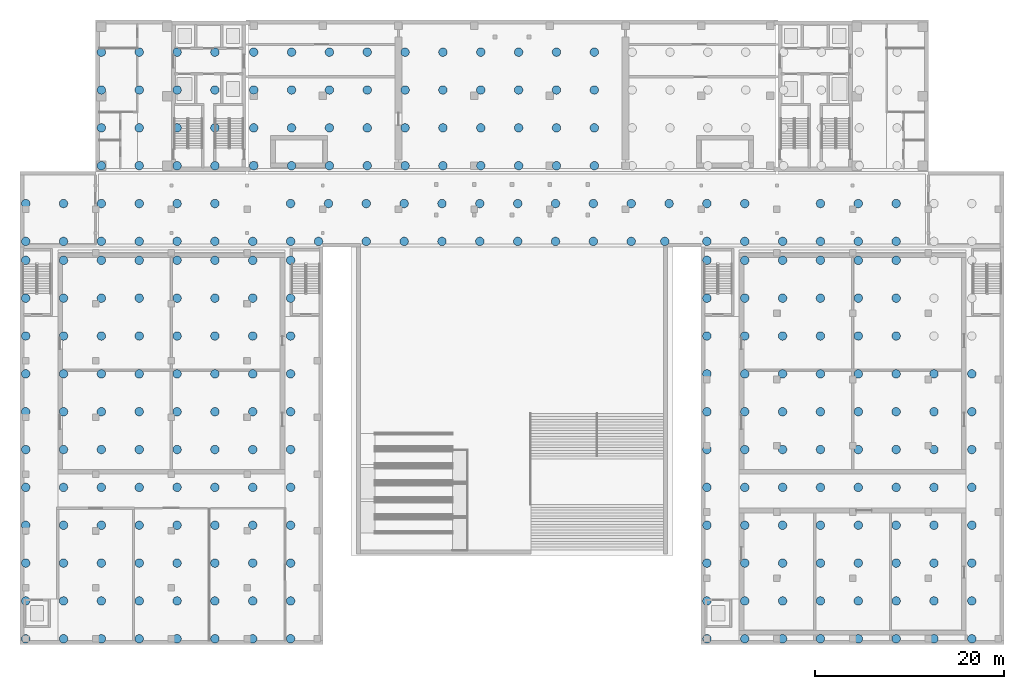
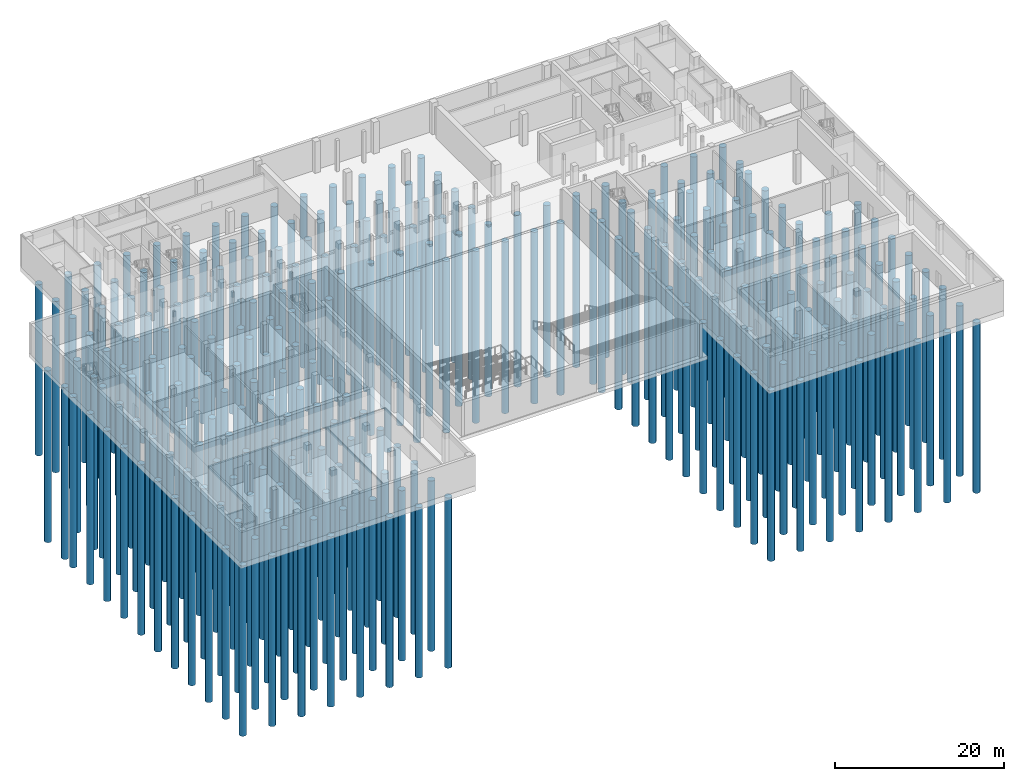
# One storey, part 1 of 21: 272 piles.
"""IFC4 building model written with IfcOpenShell, lengths in metres."""

from ifc_helpers import new_model, si_unit, direction, frame, origin, origin_2d, place, context, subcontext, project, spatial, circle, extrude, material, material_profile, profile_set, type_object, element, save


model = new_model("IFC4")

# Units and contexts
model_context = context("Model", 3, precision=1e-05, world=origin(), true_north=direction((0.0, 1.0)))
body_context = subcontext(model_context, "Body", "Model", "MODEL_VIEW")
ifc_project = project(units=[si_unit("LENGTHUNIT", "METRE"), si_unit("AREAUNIT", "SQUARE_METRE"), si_unit("VOLUMEUNIT", "CUBIC_METRE"), si_unit("PLANEANGLEUNIT", "RADIAN"), si_unit("MASSUNIT", "GRAM", prefix="KILO")], contexts=[model_context])

# Site, building, storey
site_placement = place(None, origin())
site = spatial("IfcSite", under=ifc_project, at=site_placement, CompositionType="ELEMENT")
building_placement = place(site_placement, origin())
building = spatial("IfcBuilding", under=site, at=building_placement, Name="Lantern Court Media Centre", CompositionType="ELEMENT")
storey_placement = place(building_placement, frame((0.0, 0.0, -4.800048828125)))
storey = spatial("IfcBuildingStorey", under=building, at=storey_placement, Name="B1", CompositionType="ELEMENT", Elevation=-4.800048828125)

# Piles
ifc_material = material(Name="Concrete C30", Category="concrete")
ifc_material_profile = material_profile(ifc_material, circle(Radius=0.449951171875, at=origin_2d()), Name="D900")
ifc_profile_set = profile_set([ifc_material_profile], Name="Concrete C30")
pile_type = type_object("IfcPileType", Name="BORED PILE D900", PredefinedType="BORED", material=ifc_profile_set)
for number, where, z_axis, x_axis, name in (
    (1, (0.60009765625, -1.39990234375, -0.64990234375), (0.0, 0.0, -1.0), (1.0, 0.0, 0.0), "PL-B1-1-000"),
    (2, (0.60009765625, 2.60009765625, -0.64990234375), (0.0, 0.0, -1.0), (1.0, 0.0, 0.0), "PL-B1-1-001"),
    (3, (0.60009765625, 6.60009765625, -0.64990234375), (0.0, 0.0, -1.0), (1.0, 0.0, 0.0), "PL-B1-1-002"),
    (4, (0.60009765625, 10.60009765625, -0.64990234375), (0.0, 0.0, -1.0), (1.0, 0.0, 0.0), "PL-B1-1-003"),
    (5, (0.60009765625, 14.60009765625, -0.64990234375), (0.0, 0.0, -1.0), (1.0, 0.0, 0.0), "PL-B1-1-004"),
    (6, (0.60009765625, 18.60009765625, -0.64990234375), (0.0, 0.0, -1.0), (1.0, 0.0, 0.0), "PL-B1-1-005"),
    (7, (0.60009765625, 22.60009765625, -0.64990234375), (0.0, 0.0, -1.0), (1.0, 0.0, 0.0), "PL-B1-1-006"),
    (8, (0.60009765625, 26.60009765625, -0.64990234375), (0.0, 0.0, -1.0), (1.0, 0.0, 0.0), "PL-B1-1-007"),
    (9, (0.60009765625, 30.60009765625, -0.64990234375), (0.0, 0.0, -1.0), (1.0, 0.0, 0.0), "PL-B1-1-008"),
    (10, (0.60009765625, 34.60009765625, -0.64990234375), (0.0, 0.0, -1.0), (1.0, 0.0, 0.0), "PL-B1-1-009"),
    (11, (0.60009765625, 38.60009765625, -0.64990234375), (0.0, 0.0, -1.0), (1.0, 0.0, 0.0), "PL-B1-1-010"),
    (12, (4.60009765625, -1.39990234375, -0.64990234375), (0.0, 0.0, -1.0), (1.0, 0.0, 0.0), "PL-B1-1-011"),
    (13, (4.60009765625, 2.60009765625, -0.64990234375), (0.0, 0.0, -1.0), (1.0, 0.0, 0.0), "PL-B1-1-012"),
    (14, (4.60009765625, 6.60009765625, -0.64990234375), (0.0, 0.0, -1.0), (1.0, 0.0, 0.0), "PL-B1-1-013"),
    (15, (4.60009765625, 10.60009765625, -0.64990234375), (0.0, 0.0, -1.0), (1.0, 0.0, 0.0), "PL-B1-1-014"),
    (16, (4.60009765625, 14.60009765625, -0.64990234375), (0.0, 0.0, -1.0), (1.0, 0.0, 0.0), "PL-B1-1-015"),
    (17, (4.60009765625, 18.60009765625, -0.64990234375), (0.0, 0.0, -1.0), (1.0, 0.0, 0.0), "PL-B1-1-016"),
    (18, (4.60009765625, 22.60009765625, -0.64990234375), (0.0, 0.0, -1.0), (1.0, 0.0, 0.0), "PL-B1-1-017"),
    (19, (4.60009765625, 26.60009765625, -0.64990234375), (0.0, 0.0, -1.0), (1.0, 0.0, 0.0), "PL-B1-1-018"),
    (20, (4.60009765625, 30.60009765625, -0.64990234375), (0.0, 0.0, -1.0), (1.0, 0.0, 0.0), "PL-B1-1-019"),
    (21, (4.60009765625, 34.60009765625, -0.64990234375), (0.0, 0.0, -1.0), (1.0, 0.0, 0.0), "PL-B1-1-020"),
    (22, (4.60009765625, 38.60009765625, -0.64990234375), (0.0, 0.0, -1.0), (1.0, 0.0, 0.0), "PL-B1-1-021"),
    (23, (8.60009765625, -1.39990234375, -0.64990234375), (0.0, 0.0, -1.0), (1.0, 0.0, 0.0), "PL-B1-1-022"),
    (24, (8.60009765625, 2.60009765625, -0.64990234375), (0.0, 0.0, -1.0), (1.0, 0.0, 0.0), "PL-B1-1-023"),
    (25, (8.60009765625, 6.60009765625, -0.64990234375), (0.0, 0.0, -1.0), (1.0, 0.0, 0.0), "PL-B1-1-024"),
    (26, (8.60009765625, 10.60009765625, -0.64990234375), (0.0, 0.0, -1.0), (1.0, 0.0, 0.0), "PL-B1-1-025"),
    (27, (8.60009765625, 14.60009765625, -0.64990234375), (0.0, 0.0, -1.0), (1.0, 0.0, 0.0), "PL-B1-1-026"),
    (28, (8.60009765625, 18.60009765625, -0.64990234375), (0.0, 0.0, -1.0), (1.0, 0.0, 0.0), "PL-B1-1-027"),
    (29, (8.60009765625, 22.60009765625, -0.64990234375), (0.0, 0.0, -1.0), (1.0, 0.0, 0.0), "PL-B1-1-028"),
    (30, (8.60009765625, 26.60009765625, -0.64990234375), (0.0, 0.0, -1.0), (1.0, 0.0, 0.0), "PL-B1-1-029"),
    (31, (8.60009765625, 30.60009765625, -0.64990234375), (0.0, 0.0, -1.0), (1.0, 0.0, 0.0), "PL-B1-1-030"),
    (32, (8.60009765625, 34.60009765625, -0.64990234375), (0.0, 0.0, -1.0), (1.0, 0.0, 0.0), "PL-B1-1-031"),
    (33, (8.60009765625, 38.60009765625, -0.64990234375), (0.0, 0.0, -1.0), (1.0, 0.0, 0.0), "PL-B1-1-032"),
    (34, (12.60009765625, -1.39990234375, -0.64990234375), (0.0, 0.0, -1.0), (1.0, 0.0, 0.0), "PL-B1-1-033"),
    (35, (12.60009765625, 2.60009765625, -0.64990234375), (0.0, 0.0, -1.0), (1.0, 0.0, 0.0), "PL-B1-1-034"),
    (36, (12.60009765625, 6.60009765625, -0.64990234375), (0.0, 0.0, -1.0), (1.0, 0.0, 0.0), "PL-B1-1-035"),
    (37, (12.60009765625, 10.60009765625, -0.64990234375), (0.0, 0.0, -1.0), (1.0, 0.0, 0.0), "PL-B1-1-036"),
    (38, (12.60009765625, 14.60009765625, -0.64990234375), (0.0, 0.0, -1.0), (1.0, 0.0, 0.0), "PL-B1-1-037"),
    (39, (12.60009765625, 18.60009765625, -0.64990234375), (0.0, 0.0, -1.0), (1.0, 0.0, 0.0), "PL-B1-1-038"),
    (40, (12.60009765625, 22.60009765625, -0.64990234375), (0.0, 0.0, -1.0), (1.0, 0.0, 0.0), "PL-B1-1-039"),
    (41, (12.60009765625, 26.60009765625, -0.64990234375), (0.0, 0.0, -1.0), (1.0, 0.0, 0.0), "PL-B1-1-040"),
    (42, (12.60009765625, 30.60009765625, -0.64990234375), (0.0, 0.0, -1.0), (1.0, 0.0, 0.0), "PL-B1-1-041"),
    (43, (12.60009765625, 34.60009765625, -0.64990234375), (0.0, 0.0, -1.0), (1.0, 0.0, 0.0), "PL-B1-1-042"),
    (44, (12.60009765625, 38.60009765625, -0.64990234375), (0.0, 0.0, -1.0), (1.0, 0.0, 0.0), "PL-B1-1-043"),
    (45, (16.60009765625, -1.39990234375, -0.64990234375), (0.0, 0.0, -1.0), (1.0, 0.0, 0.0), "PL-B1-1-044"),
    (46, (16.60009765625, 2.60009765625, -0.64990234375), (0.0, 0.0, -1.0), (1.0, 0.0, 0.0), "PL-B1-1-045"),
    (47, (16.60009765625, 6.60009765625, -0.64990234375), (0.0, 0.0, -1.0), (1.0, 0.0, 0.0), "PL-B1-1-046"),
    (48, (16.60009765625, 10.60009765625, -0.64990234375), (0.0, 0.0, -1.0), (1.0, 0.0, 0.0), "PL-B1-1-047"),
    (49, (16.60009765625, 14.60009765625, -0.64990234375), (0.0, 0.0, -1.0), (1.0, 0.0, 0.0), "PL-B1-1-048"),
    (50, (16.60009765625, 18.60009765625, -0.64990234375), (0.0, 0.0, -1.0), (1.0, 0.0, 0.0), "PL-B1-1-049"),
    (51, (16.60009765625, 22.60009765625, -0.64990234375), (0.0, 0.0, -1.0), (1.0, 0.0, 0.0), "PL-B1-1-050"),
    (52, (16.60009765625, 26.60009765625, -0.64990234375), (0.0, 0.0, -1.0), (1.0, 0.0, 0.0), "PL-B1-1-051"),
    (53, (16.60009765625, 30.60009765625, -0.64990234375), (0.0, 0.0, -1.0), (1.0, 0.0, 0.0), "PL-B1-1-052"),
    (54, (16.60009765625, 34.60009765625, -0.64990234375), (0.0, 0.0, -1.0), (1.0, 0.0, 0.0), "PL-B1-1-053"),
    (55, (16.60009765625, 38.60009765625, -0.64990234375), (0.0, 0.0, -1.0), (1.0, 0.0, 0.0), "PL-B1-1-054"),
    (56, (20.60009765625, -1.39990234375, -0.64990234375), (0.0, 0.0, -1.0), (1.0, 0.0, 0.0), "PL-B1-1-055"),
    (57, (20.60009765625, 2.60009765625, -0.64990234375), (0.0, 0.0, -1.0), (1.0, 0.0, 0.0), "PL-B1-1-056"),
    (58, (20.60009765625, 6.60009765625, -0.64990234375), (0.0, 0.0, -1.0), (1.0, 0.0, 0.0), "PL-B1-1-057"),
    (59, (20.60009765625, 10.60009765625, -0.64990234375), (0.0, 0.0, -1.0), (1.0, 0.0, 0.0), "PL-B1-1-058"),
    (60, (20.60009765625, 14.60009765625, -0.64990234375), (0.0, 0.0, -1.0), (1.0, 0.0, 0.0), "PL-B1-1-059"),
    (61, (20.60009765625, 18.60009765625, -0.64990234375), (0.0, 0.0, -1.0), (1.0, 0.0, 0.0), "PL-B1-1-060"),
    (62, (20.60009765625, 22.60009765625, -0.64990234375), (0.0, 0.0, -1.0), (1.0, 0.0, 0.0), "PL-B1-1-061"),
    (63, (20.60009765625, 26.60009765625, -0.64990234375), (0.0, 0.0, -1.0), (1.0, 0.0, 0.0), "PL-B1-1-062"),
    (64, (20.60009765625, 30.60009765625, -0.64990234375), (0.0, 0.0, -1.0), (1.0, 0.0, 0.0), "PL-B1-1-063"),
    (65, (20.60009765625, 34.60009765625, -0.64990234375), (0.0, 0.0, -1.0), (1.0, 0.0, 0.0), "PL-B1-1-064"),
    (66, (20.60009765625, 38.60009765625, -0.64990234375), (0.0, 0.0, -1.0), (1.0, 0.0, 0.0), "PL-B1-1-065"),
    (67, (24.60009765625, -1.39990234375, -0.64990234375), (0.0, 0.0, -1.0), (1.0, 0.0, 0.0), "PL-B1-1-066"),
    (68, (24.60009765625, 2.60009765625, -0.64990234375), (0.0, 0.0, -1.0), (1.0, 0.0, 0.0), "PL-B1-1-067"),
    (69, (24.60009765625, 6.60009765625, -0.64990234375), (0.0, 0.0, -1.0), (1.0, 0.0, 0.0), "PL-B1-1-068"),
    (70, (24.60009765625, 10.60009765625, -0.64990234375), (0.0, 0.0, -1.0), (1.0, 0.0, 0.0), "PL-B1-1-069"),
    (71, (24.60009765625, 14.60009765625, -0.64990234375), (0.0, 0.0, -1.0), (1.0, 0.0, 0.0), "PL-B1-1-070"),
    (72, (24.60009765625, 18.60009765625, -0.64990234375), (0.0, 0.0, -1.0), (1.0, 0.0, 0.0), "PL-B1-1-071"),
    (73, (24.60009765625, 22.60009765625, -0.64990234375), (0.0, 0.0, -1.0), (1.0, 0.0, 0.0), "PL-B1-1-072"),
    (74, (24.60009765625, 26.60009765625, -0.64990234375), (0.0, 0.0, -1.0), (1.0, 0.0, 0.0), "PL-B1-1-073"),
    (75, (24.60009765625, 30.60009765625, -0.64990234375), (0.0, 0.0, -1.0), (1.0, 0.0, 0.0), "PL-B1-1-074"),
    (76, (24.60009765625, 34.60009765625, -0.64990234375), (0.0, 0.0, -1.0), (1.0, 0.0, 0.0), "PL-B1-1-075"),
    (77, (24.60009765625, 38.60009765625, -0.64990234375), (0.0, 0.0, -1.0), (1.0, 0.0, 0.0), "PL-B1-1-076"),
    (78, (28.60009765625, -1.39990234375, -0.64990234375), (0.0, 0.0, -1.0), (1.0, 0.0, 0.0), "PL-B1-1-077"),
    (79, (28.60009765625, 2.60009765625, -0.64990234375), (0.0, 0.0, -1.0), (1.0, 0.0, 0.0), "PL-B1-1-078"),
    (80, (28.60009765625, 6.60009765625, -0.64990234375), (0.0, 0.0, -1.0), (1.0, 0.0, 0.0), "PL-B1-1-079"),
    (81, (28.60009765625, 10.60009765625, -0.64990234375), (0.0, 0.0, -1.0), (1.0, 0.0, 0.0), "PL-B1-1-080"),
    (82, (28.60009765625, 14.60009765625, -0.64990234375), (0.0, 0.0, -1.0), (1.0, 0.0, 0.0), "PL-B1-1-081"),
    (83, (28.60009765625, 18.60009765625, -0.64990234375), (0.0, 0.0, -1.0), (1.0, 0.0, 0.0), "PL-B1-1-082"),
    (84, (28.60009765625, 22.60009765625, -0.64990234375), (0.0, 0.0, -1.0), (1.0, 0.0, 0.0), "PL-B1-1-083"),
    (85, (28.60009765625, 26.60009765625, -0.64990234375), (0.0, 0.0, -1.0), (1.0, 0.0, 0.0), "PL-B1-1-084"),
    (86, (28.60009765625, 30.60009765625, -0.64990234375), (0.0, 0.0, -1.0), (1.0, 0.0, 0.0), "PL-B1-1-085"),
    (87, (28.60009765625, 34.60009765625, -0.64990234375), (0.0, 0.0, -1.0), (1.0, 0.0, 0.0), "PL-B1-1-086"),
    (88, (28.60009765625, 38.60009765625, -0.64990234375), (0.0, 0.0, -1.0), (1.0, 0.0, 0.0), "PL-B1-1-087"),
    (89, (72.60009765625, -1.39990234375, -0.64990234375), (0.0, 0.0, -1.0), (1.0, 0.0, 0.0), "PL-B1-2-000"),
    (90, (72.60009765625, 2.60009765625, -0.64990234375), (0.0, 0.0, -1.0), (1.0, 0.0, 0.0), "PL-B1-2-001"),
    (91, (72.60009765625, 6.60009765625, -0.64990234375), (0.0, 0.0, -1.0), (1.0, 0.0, 0.0), "PL-B1-2-002"),
    (92, (72.60009765625, 10.60009765625, -0.64990234375), (0.0, 0.0, -1.0), (1.0, 0.0, 0.0), "PL-B1-2-003"),
    (93, (72.60009765625, 14.60009765625, -0.64990234375), (0.0, 0.0, -1.0), (1.0, 0.0, 0.0), "PL-B1-2-004"),
    (94, (72.60009765625, 18.60009765625, -0.64990234375), (0.0, 0.0, -1.0), (1.0, 0.0, 0.0), "PL-B1-2-005"),
    (95, (72.60009765625, 22.60009765625, -0.64990234375), (0.0, 0.0, -1.0), (1.0, 0.0, 0.0), "PL-B1-2-006"),
    (96, (72.60009765625, 26.60009765625, -0.64990234375), (0.0, 0.0, -1.0), (1.0, 0.0, 0.0), "PL-B1-2-007"),
    (97, (72.60009765625, 30.60009765625, -0.64990234375), (0.0, 0.0, -1.0), (1.0, 0.0, 0.0), "PL-B1-2-008"),
    (98, (72.60009765625, 34.60009765625, -0.64990234375), (0.0, 0.0, -1.0), (1.0, 0.0, 0.0), "PL-B1-2-009"),
    (99, (72.60009765625, 38.60009765625, -0.64990234375), (0.0, 0.0, -1.0), (1.0, 0.0, 0.0), "PL-B1-2-010"),
    (100, (76.60009765625, -1.39990234375, -0.64990234375), (0.0, 0.0, -1.0), (1.0, 0.0, 0.0), "PL-B1-2-011"),
    (101, (76.60009765625, 2.60009765625, -0.64990234375), (0.0, 0.0, -1.0), (1.0, 0.0, 0.0), "PL-B1-2-012"),
    (102, (76.60009765625, 6.60009765625, -0.64990234375), (0.0, 0.0, -1.0), (1.0, 0.0, 0.0), "PL-B1-2-013"),
    (103, (76.60009765625, 10.60009765625, -0.64990234375), (0.0, 0.0, -1.0), (1.0, 0.0, 0.0), "PL-B1-2-014"),
    (104, (76.60009765625, 14.60009765625, -0.64990234375), (0.0, 0.0, -1.0), (1.0, 0.0, 0.0), "PL-B1-2-015"),
    (105, (76.60009765625, 18.60009765625, -0.64990234375), (0.0, 0.0, -1.0), (1.0, 0.0, 0.0), "PL-B1-2-016"),
    (106, (76.60009765625, 22.60009765625, -0.64990234375), (0.0, 0.0, -1.0), (1.0, 0.0, 0.0), "PL-B1-2-017"),
    (107, (76.60009765625, 26.60009765625, -0.64990234375), (0.0, 0.0, -1.0), (1.0, 0.0, 0.0), "PL-B1-2-018"),
    (108, (76.60009765625, 30.60009765625, -0.64990234375), (0.0, 0.0, -1.0), (1.0, 0.0, 0.0), "PL-B1-2-019"),
    (109, (76.60009765625, 34.60009765625, -0.64990234375), (0.0, 0.0, -1.0), (1.0, 0.0, 0.0), "PL-B1-2-020"),
    (110, (76.60009765625, 38.60009765625, -0.64990234375), (0.0, 0.0, -1.0), (1.0, 0.0, 0.0), "PL-B1-2-021"),
    (111, (80.60009765625, -1.39990234375, -0.64990234375), (0.0, 0.0, -1.0), (1.0, 0.0, 0.0), "PL-B1-2-022"),
    (112, (80.60009765625, 2.60009765625, -0.64990234375), (0.0, 0.0, -1.0), (1.0, 0.0, 0.0), "PL-B1-2-023"),
    (113, (80.60009765625, 6.60009765625, -0.64990234375), (0.0, 0.0, -1.0), (1.0, 0.0, 0.0), "PL-B1-2-024"),
    (114, (80.60009765625, 10.60009765625, -0.64990234375), (0.0, 0.0, -1.0), (1.0, 0.0, 0.0), "PL-B1-2-025"),
    (115, (80.60009765625, 14.60009765625, -0.64990234375), (0.0, 0.0, -1.0), (1.0, 0.0, 0.0), "PL-B1-2-026"),
    (116, (80.60009765625, 18.60009765625, -0.64990234375), (0.0, 0.0, -1.0), (1.0, 0.0, 0.0), "PL-B1-2-027"),
    (117, (80.60009765625, 22.60009765625, -0.64990234375), (0.0, 0.0, -1.0), (1.0, 0.0, 0.0), "PL-B1-2-028"),
    (118, (80.60009765625, 26.60009765625, -0.64990234375), (0.0, 0.0, -1.0), (1.0, 0.0, 0.0), "PL-B1-2-029"),
    (119, (80.60009765625, 30.60009765625, -0.64990234375), (0.0, 0.0, -1.0), (1.0, 0.0, 0.0), "PL-B1-2-030"),
    (120, (80.60009765625, 34.60009765625, -0.64990234375), (0.0, 0.0, -1.0), (1.0, 0.0, 0.0), "PL-B1-2-031"),
    (121, (80.60009765625, 38.60009765625, -0.64990234375), (0.0, 0.0, -1.0), (1.0, 0.0, 0.0), "PL-B1-2-032"),
    (122, (84.60009765625, -1.39990234375, -0.64990234375), (0.0, 0.0, -1.0), (1.0, 0.0, 0.0), "PL-B1-2-033"),
    (123, (84.60009765625, 2.60009765625, -0.64990234375), (0.0, 0.0, -1.0), (1.0, 0.0, 0.0), "PL-B1-2-034"),
    (124, (84.60009765625, 6.60009765625, -0.64990234375), (0.0, 0.0, -1.0), (1.0, 0.0, 0.0), "PL-B1-2-035"),
    (125, (84.60009765625, 10.60009765625, -0.64990234375), (0.0, 0.0, -1.0), (1.0, 0.0, 0.0), "PL-B1-2-036"),
    (126, (84.60009765625, 14.60009765625, -0.64990234375), (0.0, 0.0, -1.0), (1.0, 0.0, 0.0), "PL-B1-2-037"),
    (127, (84.60009765625, 18.60009765625, -0.64990234375), (0.0, 0.0, -1.0), (1.0, 0.0, 0.0), "PL-B1-2-038"),
    (128, (84.60009765625, 22.60009765625, -0.64990234375), (0.0, 0.0, -1.0), (1.0, 0.0, 0.0), "PL-B1-2-039"),
    (129, (84.60009765625, 26.60009765625, -0.64990234375), (0.0, 0.0, -1.0), (1.0, 0.0, 0.0), "PL-B1-2-040"),
    (130, (84.60009765625, 30.60009765625, -0.64990234375), (0.0, 0.0, -1.0), (1.0, 0.0, 0.0), "PL-B1-2-041"),
    (131, (84.60009765625, 34.60009765625, -0.64990234375), (0.0, 0.0, -1.0), (1.0, 0.0, 0.0), "PL-B1-2-042"),
    (132, (84.60009765625, 38.60009765625, -0.64990234375), (0.0, 0.0, -1.0), (1.0, 0.0, 0.0), "PL-B1-2-043"),
    (133, (88.60009765625, -1.39990234375, -0.64990234375), (0.0, 0.0, -1.0), (1.0, 0.0, 0.0), "PL-B1-2-044"),
    (134, (88.60009765625, 2.60009765625, -0.64990234375), (0.0, 0.0, -1.0), (1.0, 0.0, 0.0), "PL-B1-2-045"),
    (135, (88.60009765625, 6.60009765625, -0.64990234375), (0.0, 0.0, -1.0), (1.0, 0.0, 0.0), "PL-B1-2-046"),
    (136, (88.60009765625, 10.60009765625, -0.64990234375), (0.0, 0.0, -1.0), (1.0, 0.0, 0.0), "PL-B1-2-047"),
    (137, (88.60009765625, 14.60009765625, -0.64990234375), (0.0, 0.0, -1.0), (1.0, 0.0, 0.0), "PL-B1-2-048"),
    (138, (88.60009765625, 18.60009765625, -0.64990234375), (0.0, 0.0, -1.0), (1.0, 0.0, 0.0), "PL-B1-2-049"),
    (139, (88.60009765625, 22.60009765625, -0.64990234375), (0.0, 0.0, -1.0), (1.0, 0.0, 0.0), "PL-B1-2-050"),
    (140, (88.60009765625, 26.60009765625, -0.64990234375), (0.0, 0.0, -1.0), (1.0, 0.0, 0.0), "PL-B1-2-051"),
    (141, (88.60009765625, 30.60009765625, -0.64990234375), (0.0, 0.0, -1.0), (1.0, 0.0, 0.0), "PL-B1-2-052"),
    (142, (88.60009765625, 34.60009765625, -0.64990234375), (0.0, 0.0, -1.0), (1.0, 0.0, 0.0), "PL-B1-2-053"),
    (143, (88.60009765625, 38.60009765625, -0.64990234375), (0.0, 0.0, -1.0), (1.0, 0.0, 0.0), "PL-B1-2-054"),
    (144, (92.60009765625, -1.39990234375, -0.64990234375), (0.0, 0.0, -1.0), (1.0, 0.0, 0.0), "PL-B1-2-055"),
    (145, (92.60009765625, 2.60009765625, -0.64990234375), (0.0, 0.0, -1.0), (1.0, 0.0, 0.0), "PL-B1-2-056"),
    (146, (92.60009765625, 6.60009765625, -0.64990234375), (0.0, 0.0, -1.0), (1.0, 0.0, 0.0), "PL-B1-2-057"),
    (147, (92.60009765625, 10.60009765625, -0.64990234375), (0.0, 0.0, -1.0), (1.0, 0.0, 0.0), "PL-B1-2-058"),
    (148, (92.60009765625, 14.60009765625, -0.64990234375), (0.0, 0.0, -1.0), (1.0, 0.0, 0.0), "PL-B1-2-059"),
    (149, (92.60009765625, 18.60009765625, -0.64990234375), (0.0, 0.0, -1.0), (1.0, 0.0, 0.0), "PL-B1-2-060"),
    (150, (92.60009765625, 22.60009765625, -0.64990234375), (0.0, 0.0, -1.0), (1.0, 0.0, 0.0), "PL-B1-2-061"),
    (151, (92.60009765625, 26.60009765625, -0.64990234375), (0.0, 0.0, -1.0), (1.0, 0.0, 0.0), "PL-B1-2-062"),
    (152, (92.60009765625, 30.60009765625, -0.64990234375), (0.0, 0.0, -1.0), (1.0, 0.0, 0.0), "PL-B1-2-063"),
    (153, (92.60009765625, 34.60009765625, -0.64990234375), (0.0, 0.0, -1.0), (1.0, 0.0, 0.0), "PL-B1-2-064"),
    (154, (92.60009765625, 38.60009765625, -0.64990234375), (0.0, 0.0, -1.0), (1.0, 0.0, 0.0), "PL-B1-2-065"),
    (155, (96.60009765625, -1.39990234375, -0.64990234375), (0.0, 0.0, -1.0), (1.0, 0.0, 0.0), "PL-B1-2-066"),
    (156, (96.60009765625, 2.60009765625, -0.64990234375), (0.0, 0.0, -1.0), (1.0, 0.0, 0.0), "PL-B1-2-067"),
    (157, (96.60009765625, 6.60009765625, -0.64990234375), (0.0, 0.0, -1.0), (1.0, 0.0, 0.0), "PL-B1-2-068"),
    (158, (96.60009765625, 10.60009765625, -0.64990234375), (0.0, 0.0, -1.0), (1.0, 0.0, 0.0), "PL-B1-2-069"),
    (159, (96.60009765625, 14.60009765625, -0.64990234375), (0.0, 0.0, -1.0), (1.0, 0.0, 0.0), "PL-B1-2-070"),
    (160, (96.60009765625, 18.60009765625, -0.64990234375), (0.0, 0.0, -1.0), (1.0, 0.0, 0.0), "PL-B1-2-071"),
    (161, (96.60009765625, 22.60009765625, -0.64990234375), (0.0, 0.0, -1.0), (1.0, 0.0, 0.0), "PL-B1-2-072"),
    (162, (96.60009765625, 26.60009765625, -0.64990234375), (0.0, 0.0, -1.0), (1.0, 0.0, 0.0), "PL-B1-2-073"),
    (163, (100.60009765625, -1.39990234375, -0.64990234375), (0.0, 0.0, -1.0), (1.0, 0.0, 0.0), "PL-B1-2-077"),
    (164, (100.60009765625, 2.60009765625, -0.64990234375), (0.0, 0.0, -1.0), (1.0, 0.0, 0.0), "PL-B1-2-078"),
    (165, (100.60009765625, 6.60009765625, -0.64990234375), (0.0, 0.0, -1.0), (1.0, 0.0, 0.0), "PL-B1-2-079"),
    (166, (100.60009765625, 10.60009765625, -0.64990234375), (0.0, 0.0, -1.0), (1.0, 0.0, 0.0), "PL-B1-2-080"),
    (167, (100.60009765625, 14.60009765625, -0.64990234375), (0.0, 0.0, -1.0), (1.0, 0.0, 0.0), "PL-B1-2-081"),
    (168, (100.60009765625, 18.60009765625, -0.64990234375), (0.0, 0.0, -1.0), (1.0, 0.0, 0.0), "PL-B1-2-082"),
    (169, (100.60009765625, 22.60009765625, -0.64990234375), (0.0, 0.0, -1.0), (1.0, 0.0, 0.0), "PL-B1-2-083"),
    (170, (100.60009765625, 26.60009765625, -0.64990234375), (0.0, 0.0, -1.0), (1.0, 0.0, 0.0), "PL-B1-2-084"),
):
    element("IfcPile", number, at=place(storey_placement, frame(where, z_axis=z_axis, x_axis=x_axis)), inside=storey, type_object=pile_type, Name=name, PredefinedType="BORED", context=body_context, shape_type="SweptSolid", body=[
        extrude(circle(Radius=0.449951171875, at=origin_2d()), origin(), (0.0, 0.0, 1.0), 24.550048828125),
    ])
for number, where, z_axis, x_axis, name in (
    (171, (0.60009765625, 40.60009765625, -0.449951171875), (0.0, 0.0, -1.0), (1.0, 0.0, 0.0), "PL-B1-3-000"),
    (172, (0.60009765625, 44.60009765625, -0.449951171875), (0.0, 0.0, -1.0), (1.0, 0.0, 0.0), "PL-B1-3-001"),
    (173, (4.60009765625, 40.60009765625, -0.449951171875), (0.0, 0.0, -1.0), (1.0, 0.0, 0.0), "PL-B1-3-002"),
    (174, (4.60009765625, 44.60009765625, -0.449951171875), (0.0, 0.0, -1.0), (1.0, 0.0, 0.0), "PL-B1-3-003"),
    (175, (8.60009765625, 40.60009765625, -0.449951171875), (0.0, 0.0, -1.0), (1.0, 0.0, 0.0), "PL-B1-3-004"),
    (176, (8.60009765625, 44.60009765625, -0.449951171875), (0.0, 0.0, -1.0), (1.0, 0.0, 0.0), "PL-B1-3-005"),
    (177, (12.60009765625, 40.60009765625, -0.449951171875), (0.0, 0.0, -1.0), (1.0, 0.0, 0.0), "PL-B1-3-006"),
    (178, (12.60009765625, 44.60009765625, -0.449951171875), (0.0, 0.0, -1.0), (1.0, 0.0, 0.0), "PL-B1-3-007"),
    (179, (16.60009765625, 40.60009765625, -0.449951171875), (0.0, 0.0, -1.0), (1.0, 0.0, 0.0), "PL-B1-3-008"),
    (180, (16.60009765625, 44.60009765625, -0.449951171875), (0.0, 0.0, -1.0), (1.0, 0.0, 0.0), "PL-B1-3-009"),
    (181, (20.60009765625, 40.60009765625, -0.449951171875), (0.0, 0.0, -1.0), (1.0, 0.0, 0.0), "PL-B1-3-010"),
    (182, (20.60009765625, 44.60009765625, -0.449951171875), (0.0, 0.0, -1.0), (1.0, 0.0, 0.0), "PL-B1-3-011"),
    (183, (24.60009765625, 40.60009765625, -0.449951171875), (0.0, 0.0, -1.0), (1.0, 0.0, 0.0), "PL-B1-3-012"),
    (184, (28.60009765625, 40.60009765625, -0.449951171875), (0.0, 0.0, -1.0), (1.0, 0.0, 0.0), "PL-B1-3-013"),
    (185, (28.60009765625, 44.60009765625, -0.449951171875), (0.0, 0.0, -1.0), (1.0, 0.0, 0.0), "PL-B1-3-014"),
    (186, (31.550048828125, 40.60009765625, -0.449951171875), (0.0, 0.0, -1.0), (1.0, 0.0, 0.0), "PL-B1-3-015"),
    (187, (32.60009765625, 44.60009765625, -0.449951171875), (0.0, 0.0, -1.0), (1.0, 0.0, 0.0), "PL-B1-3-016"),
    (188, (36.60009765625, 40.60009765625, -0.449951171875), (0.0, 0.0, -1.0), (1.0, 0.0, 0.0), "PL-B1-3-017"),
    (189, (36.60009765625, 44.60009765625, -0.449951171875), (0.0, 0.0, -1.0), (1.0, 0.0, 0.0), "PL-B1-3-018"),
    (190, (40.60009765625, 40.60009765625, -0.449951171875), (0.0, 0.0, -1.0), (1.0, 0.0, 0.0), "PL-B1-3-019"),
    (191, (40.60009765625, 44.60009765625, -0.449951171875), (0.0, 0.0, -1.0), (1.0, 0.0, 0.0), "PL-B1-3-020"),
    (192, (44.60009765625, 40.60009765625, -0.449951171875), (0.0, 0.0, -1.0), (1.0, 0.0, 0.0), "PL-B1-3-021"),
    (193, (44.60009765625, 44.60009765625, -0.449951171875), (0.0, 0.0, -1.0), (1.0, 0.0, 0.0), "PL-B1-3-022"),
    (194, (48.60009765625, 40.60009765625, -0.449951171875), (0.0, 0.0, -1.0), (1.0, 0.0, 0.0), "PL-B1-3-023"),
    (195, (48.60009765625, 44.60009765625, -0.449951171875), (0.0, 0.0, -1.0), (1.0, 0.0, 0.0), "PL-B1-3-024"),
    (196, (52.60009765625, 40.60009765625, -0.449951171875), (0.0, 0.0, -1.0), (1.0, 0.0, 0.0), "PL-B1-3-025"),
    (197, (52.60009765625, 44.60009765625, -0.449951171875), (0.0, 0.0, -1.0), (1.0, 0.0, 0.0), "PL-B1-3-026"),
    (198, (56.60009765625, 40.60009765625, -0.449951171875), (0.0, 0.0, -1.0), (1.0, 0.0, 0.0), "PL-B1-3-027"),
    (199, (56.60009765625, 44.60009765625, -0.449951171875), (0.0, 0.0, -1.0), (1.0, 0.0, 0.0), "PL-B1-3-028"),
    (200, (60.60009765625, 40.60009765625, -0.449951171875), (0.0, 0.0, -1.0), (1.0, 0.0, 0.0), "PL-B1-3-029"),
    (201, (60.60009765625, 44.60009765625, -0.449951171875), (0.0, 0.0, -1.0), (1.0, 0.0, 0.0), "PL-B1-3-030"),
    (202, (64.60009765625, 40.60009765625, -0.449951171875), (0.0, 0.0, -1.0), (1.0, 0.0, 0.0), "PL-B1-3-031"),
    (203, (64.60009765625, 44.60009765625, -0.449951171875), (0.0, 0.0, -1.0), (1.0, 0.0, 0.0), "PL-B1-3-032"),
    (204, (68.14990234375, 40.60009765625, -0.449951171875), (0.0, 0.0, -1.0), (1.0, 0.0, 0.0), "PL-B1-3-033"),
    (205, (68.60009765625, 44.60009765625, -0.449951171875), (0.0, 0.0, -1.0), (1.0, 0.0, 0.0), "PL-B1-3-034"),
    (206, (72.60009765625, 40.60009765625, -0.449951171875), (0.0, 0.0, -1.0), (1.0, 0.0, 0.0), "PL-B1-3-035"),
    (207, (72.60009765625, 44.60009765625, -0.449951171875), (0.0, 0.0, -1.0), (1.0, 0.0, 0.0), "PL-B1-3-036"),
    (208, (76.60009765625, 40.60009765625, -0.449951171875), (0.0, 0.0, -1.0), (1.0, 0.0, 0.0), "PL-B1-3-037"),
    (209, (76.60009765625, 44.60009765625, -0.449951171875), (0.0, 0.0, -1.0), (1.0, 0.0, 0.0), "PL-B1-3-038"),
    (210, (80.60009765625, 40.60009765625, -0.449951171875), (0.0, 0.0, -1.0), (1.0, 0.0, 0.0), "PL-B1-3-039"),
    (211, (84.60009765625, 40.60009765625, -0.449951171875), (0.0, 0.0, -1.0), (1.0, 0.0, 0.0), "PL-B1-3-040"),
    (212, (84.60009765625, 44.60009765625, -0.449951171875), (0.0, 0.0, -1.0), (1.0, 0.0, 0.0), "PL-B1-3-041"),
    (213, (88.60009765625, 40.60009765625, -0.449951171875), (0.0, 0.0, -1.0), (1.0, 0.0, 0.0), "PL-B1-3-042"),
    (214, (88.60009765625, 44.60009765625, -0.449951171875), (0.0, 0.0, -1.0), (1.0, 0.0, 0.0), "PL-B1-3-043"),
    (215, (92.60009765625, 40.60009765625, -0.449951171875), (0.0, 0.0, -1.0), (1.0, 0.0, 0.0), "PL-B1-3-044"),
    (216, (92.60009765625, 44.60009765625, -0.449951171875), (0.0, 0.0, -1.0), (1.0, 0.0, 0.0), "PL-B1-3-045"),
):
    element("IfcPile", number, at=place(storey_placement, frame(where, z_axis=z_axis, x_axis=x_axis)), inside=storey, type_object=pile_type, Name=name, PredefinedType="BORED", context=body_context, shape_type="SweptSolid", body=[
        extrude(circle(Radius=0.449951171875, at=origin_2d()), origin(), (0.0, 0.0, 1.0), 24.75),
    ])
for number, where, z_axis, x_axis, name in (
    (217, (8.60009765625, 48.60009765625, -0.550048828125), (0.0, 0.0, -1.0), (1.0, 0.0, 0.0), "PL-B1-4-000"),
    (218, (8.60009765625, 52.60009765625, -0.550048828125), (0.0, 0.0, -1.0), (1.0, 0.0, 0.0), "PL-B1-4-001"),
    (219, (8.60009765625, 56.60009765625, -0.550048828125), (0.0, 0.0, -1.0), (1.0, 0.0, 0.0), "PL-B1-4-002"),
    (220, (8.60009765625, 60.60009765625, -0.550048828125), (0.0, 0.0, -1.0), (1.0, 0.0, 0.0), "PL-B1-4-003"),
    (221, (12.60009765625, 48.60009765625, -0.550048828125), (0.0, 0.0, -1.0), (1.0, 0.0, 0.0), "PL-B1-4-004"),
    (222, (12.60009765625, 52.60009765625, -0.550048828125), (0.0, 0.0, -1.0), (1.0, 0.0, 0.0), "PL-B1-4-005"),
    (223, (12.60009765625, 56.60009765625, -0.550048828125), (0.0, 0.0, -1.0), (1.0, 0.0, 0.0), "PL-B1-4-006"),
    (224, (12.60009765625, 60.60009765625, -0.550048828125), (0.0, 0.0, -1.0), (1.0, 0.0, 0.0), "PL-B1-4-007"),
    (225, (16.60009765625, 48.60009765625, -0.550048828125), (0.0, 0.0, -1.0), (1.0, 0.0, 0.0), "PL-B1-4-008"),
    (226, (16.60009765625, 52.60009765625, -0.550048828125), (0.0, 0.0, -1.0), (1.0, 0.0, 0.0), "PL-B1-4-009"),
    (227, (16.60009765625, 56.60009765625, -0.550048828125), (0.0, 0.0, -1.0), (1.0, 0.0, 0.0), "PL-B1-4-010"),
    (228, (16.60009765625, 60.60009765625, -0.550048828125), (0.0, 0.0, -1.0), (1.0, 0.0, 0.0), "PL-B1-4-011"),
    (229, (20.60009765625, 48.60009765625, -0.550048828125), (0.0, 0.0, -1.0), (1.0, 0.0, 0.0), "PL-B1-4-012"),
    (230, (20.60009765625, 52.60009765625, -0.550048828125), (0.0, 0.0, -1.0), (1.0, 0.0, 0.0), "PL-B1-4-013"),
    (231, (20.60009765625, 56.60009765625, -0.550048828125), (0.0, 0.0, -1.0), (1.0, 0.0, 0.0), "PL-B1-4-014"),
    (232, (20.60009765625, 60.60009765625, -0.550048828125), (0.0, 0.0, -1.0), (1.0, 0.0, 0.0), "PL-B1-4-015"),
    (233, (24.699951171875, 48.60009765625, -0.550048828125), (0.0, 0.0, -1.0), (1.0, 0.0, 0.0), "PL-B1-4-2-000"),
    (234, (24.699951171875, 52.60009765625, -0.550048828125), (0.0, 0.0, -1.0), (1.0, 0.0, 0.0), "PL-B1-4-2-001"),
    (235, (24.699951171875, 56.60009765625, -0.550048828125), (0.0, 0.0, -1.0), (1.0, 0.0, 0.0), "PL-B1-4-2-002"),
    (236, (24.699951171875, 60.60009765625, -0.550048828125), (0.0, 0.0, -1.0), (1.0, 0.0, 0.0), "PL-B1-4-2-003"),
    (237, (28.699951171875, 48.60009765625, -0.550048828125), (0.0, 0.0, -1.0), (1.0, 0.0, 0.0), "PL-B1-4-2-004"),
    (238, (28.699951171875, 52.60009765625, -0.550048828125), (0.0, 0.0, -1.0), (1.0, 0.0, 0.0), "PL-B1-4-2-005"),
    (239, (28.699951171875, 56.60009765625, -0.550048828125), (0.0, 0.0, -1.0), (1.0, 0.0, 0.0), "PL-B1-4-2-006"),
    (240, (28.699951171875, 60.60009765625, -0.550048828125), (0.0, 0.0, -1.0), (1.0, 0.0, 0.0), "PL-B1-4-2-007"),
    (241, (32.699951171875, 48.60009765625, -0.550048828125), (0.0, 0.0, -1.0), (1.0, 0.0, 0.0), "PL-B1-4-2-008"),
    (242, (32.699951171875, 52.60009765625, -0.550048828125), (0.0, 0.0, -1.0), (1.0, 0.0, 0.0), "PL-B1-4-2-009"),
    (243, (32.699951171875, 56.60009765625, -0.550048828125), (0.0, 0.0, -1.0), (1.0, 0.0, 0.0), "PL-B1-4-2-010"),
    (244, (32.699951171875, 60.60009765625, -0.550048828125), (0.0, 0.0, -1.0), (1.0, 0.0, 0.0), "PL-B1-4-2-011"),
    (245, (36.699951171875, 48.60009765625, -0.550048828125), (0.0, 0.0, -1.0), (1.0, 0.0, 0.0), "PL-B1-4-2-012"),
    (246, (36.699951171875, 52.60009765625, -0.550048828125), (0.0, 0.0, -1.0), (1.0, 0.0, 0.0), "PL-B1-4-2-013"),
    (247, (36.699951171875, 56.60009765625, -0.550048828125), (0.0, 0.0, -1.0), (1.0, 0.0, 0.0), "PL-B1-4-2-014"),
    (248, (36.699951171875, 60.60009765625, -0.550048828125), (0.0, 0.0, -1.0), (1.0, 0.0, 0.0), "PL-B1-4-2-015"),
    (249, (40.699951171875, 48.60009765625, -0.550048828125), (0.0, 0.0, -1.0), (1.0, 0.0, 0.0), "PL-B1-4-2-016"),
    (250, (40.699951171875, 52.60009765625, -0.550048828125), (0.0, 0.0, -1.0), (1.0, 0.0, 0.0), "PL-B1-4-2-017"),
    (251, (40.699951171875, 56.60009765625, -0.550048828125), (0.0, 0.0, -1.0), (1.0, 0.0, 0.0), "PL-B1-4-2-018"),
    (252, (40.699951171875, 60.60009765625, -0.550048828125), (0.0, 0.0, -1.0), (1.0, 0.0, 0.0), "PL-B1-4-2-019"),
    (253, (44.699951171875, 48.60009765625, -0.550048828125), (0.0, 0.0, -1.0), (1.0, 0.0, 0.0), "PL-B1-4-2-020"),
    (254, (44.699951171875, 52.60009765625, -0.550048828125), (0.0, 0.0, -1.0), (1.0, 0.0, 0.0), "PL-B1-4-2-021"),
    (255, (44.699951171875, 56.60009765625, -0.550048828125), (0.0, 0.0, -1.0), (1.0, 0.0, 0.0), "PL-B1-4-2-022"),
    (256, (44.699951171875, 60.60009765625, -0.550048828125), (0.0, 0.0, -1.0), (1.0, 0.0, 0.0), "PL-B1-4-2-023"),
    (257, (48.699951171875, 48.60009765625, -0.550048828125), (0.0, 0.0, -1.0), (1.0, 0.0, 0.0), "PL-B1-4-2-024"),
    (258, (48.699951171875, 52.60009765625, -0.550048828125), (0.0, 0.0, -1.0), (1.0, 0.0, 0.0), "PL-B1-4-2-025"),
    (259, (48.699951171875, 56.60009765625, -0.550048828125), (0.0, 0.0, -1.0), (1.0, 0.0, 0.0), "PL-B1-4-2-026"),
    (260, (48.699951171875, 60.60009765625, -0.550048828125), (0.0, 0.0, -1.0), (1.0, 0.0, 0.0), "PL-B1-4-2-027"),
    (261, (52.699951171875, 48.60009765625, -0.550048828125), (0.0, 0.0, -1.0), (1.0, 0.0, 0.0), "PL-B1-4-2-028"),
    (262, (52.699951171875, 52.60009765625, -0.550048828125), (0.0, 0.0, -1.0), (1.0, 0.0, 0.0), "PL-B1-4-2-029"),
    (263, (52.699951171875, 56.60009765625, -0.550048828125), (0.0, 0.0, -1.0), (1.0, 0.0, 0.0), "PL-B1-4-2-030"),
    (264, (52.699951171875, 60.60009765625, -0.550048828125), (0.0, 0.0, -1.0), (1.0, 0.0, 0.0), "PL-B1-4-2-031"),
    (265, (56.699951171875, 48.60009765625, -0.550048828125), (0.0, 0.0, -1.0), (1.0, 0.0, 0.0), "PL-B1-4-2-032"),
    (266, (56.699951171875, 52.60009765625, -0.550048828125), (0.0, 0.0, -1.0), (1.0, 0.0, 0.0), "PL-B1-4-2-033"),
    (267, (56.699951171875, 56.60009765625, -0.550048828125), (0.0, 0.0, -1.0), (1.0, 0.0, 0.0), "PL-B1-4-2-034"),
    (268, (56.699951171875, 60.60009765625, -0.550048828125), (0.0, 0.0, -1.0), (1.0, 0.0, 0.0), "PL-B1-4-2-035"),
    (269, (60.699951171875, 48.60009765625, -0.550048828125), (0.0, 0.0, -1.0), (1.0, 0.0, 0.0), "PL-B1-4-2-036"),
    (270, (60.699951171875, 52.60009765625, -0.550048828125), (0.0, 0.0, -1.0), (1.0, 0.0, 0.0), "PL-B1-4-2-037"),
    (271, (60.699951171875, 56.60009765625, -0.550048828125), (0.0, 0.0, -1.0), (1.0, 0.0, 0.0), "PL-B1-4-2-038"),
    (272, (60.699951171875, 60.60009765625, -0.550048828125), (0.0, 0.0, -1.0), (1.0, 0.0, 0.0), "PL-B1-4-2-039"),
):
    element("IfcPile", number, at=place(storey_placement, frame(where, z_axis=z_axis, x_axis=x_axis)), inside=storey, type_object=pile_type, Name=name, PredefinedType="BORED", context=body_context, shape_type="SweptSolid", body=[
        extrude(circle(Radius=0.449951171875, at=origin_2d()), origin(), (0.0, 0.0, 1.0), 24.64990234375),
    ])

save(model, "model.ifc")
